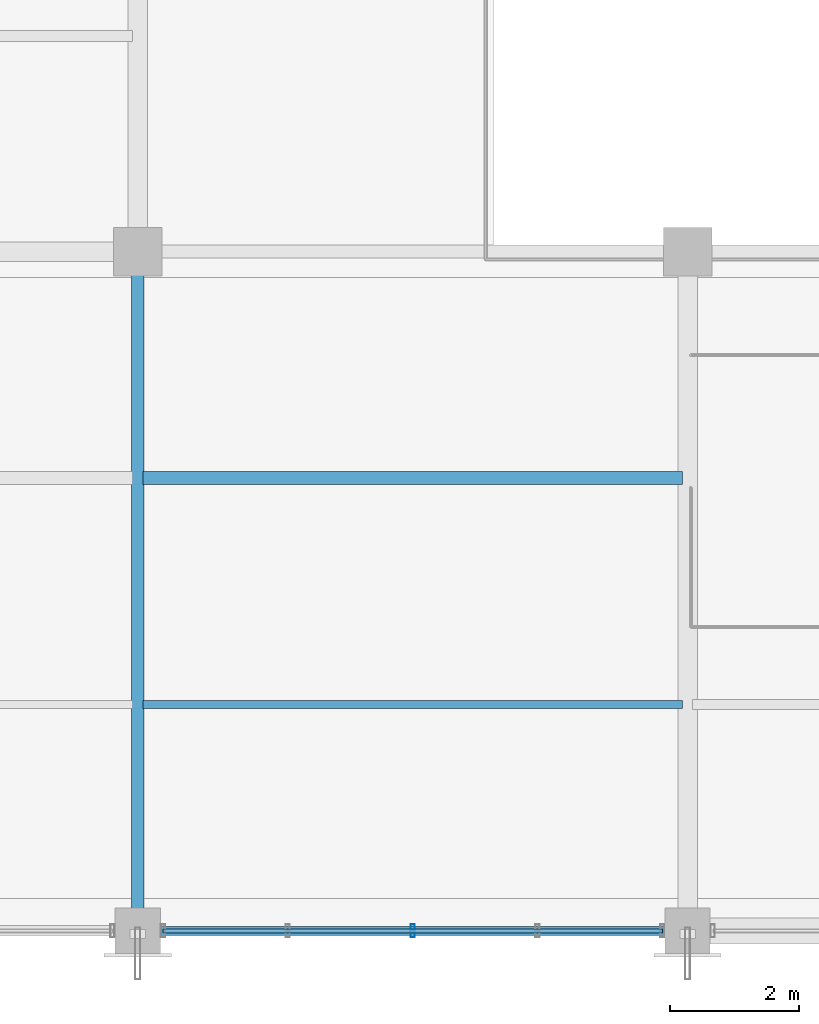
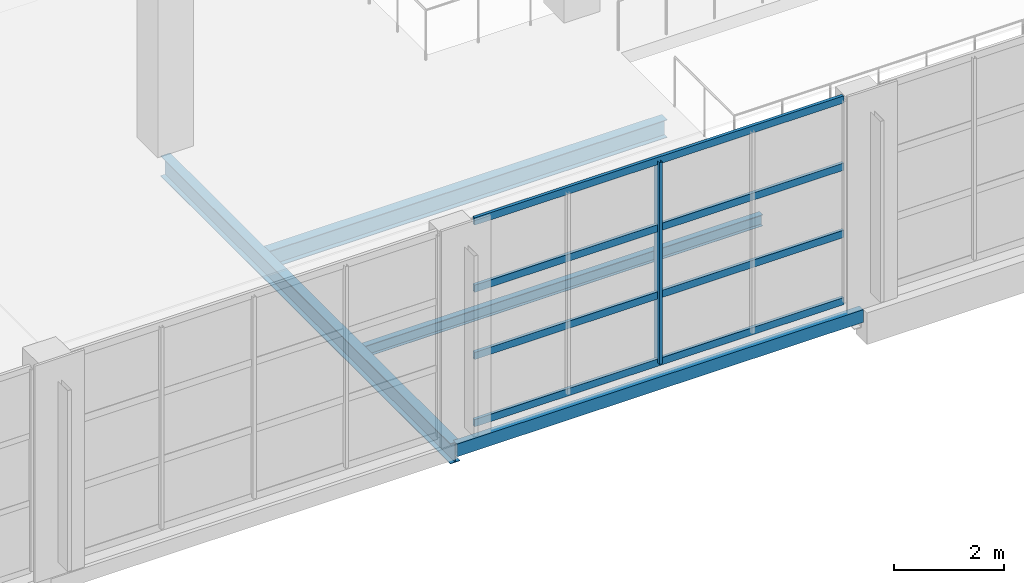
# One storey, part 12 of 101: 5 members, 4 beams, 1 element without a shape of its own.
"""IFC4 building model written with IfcOpenShell, lengths in metres."""

from ifc_helpers import new_model, si_unit, direction, frame, origin, origin_2d, place, context, subcontext, project, spatial, hollow_rectangle, i_section, extrude, material, material_profile, profile_set, type_object, element, aggregate, save


model = new_model("IFC4")

# Units and contexts
model_context = context("Model", 3, precision=1e-05, world=origin(), true_north=direction((0.0, 1.0)))
body_context = subcontext(model_context, "Body", "Model", "MODEL_VIEW")
ifc_project = project(units=[si_unit("LENGTHUNIT", "METRE"), si_unit("AREAUNIT", "SQUARE_METRE"), si_unit("VOLUMEUNIT", "CUBIC_METRE"), si_unit("PLANEANGLEUNIT", "RADIAN"), si_unit("MASSUNIT", "GRAM", prefix="KILO")], contexts=[model_context])

# Site, building, storey
site_placement = place(None, origin())
site = spatial("IfcSite", under=ifc_project, at=site_placement, CompositionType="ELEMENT")
building_placement = place(site_placement, origin())
building = spatial("IfcBuilding", under=site, at=building_placement, Name="Solvikara Media Centre", CompositionType="ELEMENT")
storey_placement = place(building_placement, frame((0.0, 0.0, 10.199951171875)))
storey = spatial("IfcBuildingStorey", under=building, at=storey_placement, Name="L02", CompositionType="ELEMENT", Elevation=10.199951171875)

# Beams
ifc_material_1 = material(Name="Steel S355JR", Category="steel")
ifc_material_profile_1 = material_profile(ifc_material_1, i_section(OverallWidth=0.199951171875, OverallDepth=0.449951171875, WebThickness=0.009033203125, FlangeThickness=0.013916015625, at=origin_2d()), Name="WF 450x200x9x14")
ifc_profile_set_1 = profile_set([ifc_material_profile_1], Name="Steel S355JR")
beam_type_1 = type_object("IfcBeamType", Name="BM-20", PredefinedType="BEAM", material=ifc_profile_set_1)
beam_1_placement = place(storey_placement, frame((42.5, 0.0, -0.5068359375), z_axis=(0.0, 1.0, 0.0), x_axis=(-1.0, 0.0, 0.0)))
element("IfcBeam", 1, at=beam_1_placement, inside=storey, type_object=beam_type_1, Name="B-L02-Y0956", PredefinedType="BEAM", context=body_context, shape_type="SweptSolid", body=[
    extrude(i_section(OverallWidth=0.199951171875, OverallDepth=0.449951171875, WebThickness=0.009033203125, FlangeThickness=0.013916015625, at=origin_2d()), origin(), (0.0, 0.0, 1.0), 10.5),
])
ifc_material_profile_2 = material_profile(ifc_material_1, i_section(OverallWidth=0.125, OverallDepth=0.25, WebThickness=0.006103515625, FlangeThickness=0.009033203125, at=origin_2d()), Name="WF 250x125x6x9")
ifc_profile_set_2 = profile_set([ifc_material_profile_2], Name="Steel S355JR")
beam_type_2 = type_object("IfcBeamType", Name="BM-24", PredefinedType="JOIST", material=ifc_profile_set_2)
beam_2_placement = place(storey_placement, frame((42.577880859375, 3.5, -0.406982421875), z_axis=(1.0, 0.0, 0.0), x_axis=(0.0, 1.0, 0.0)))
element("IfcBeam", 2, at=beam_2_placement, inside=storey, type_object=beam_type_2, Name="J-L02-1100", PredefinedType="JOIST", context=body_context, shape_type="SweptSolid", body=[
    extrude(i_section(OverallWidth=0.125, OverallDepth=0.25, WebThickness=0.006103515625, FlangeThickness=0.009033203125, at=origin_2d()), origin(), (0.0, 0.0, 1.0), 8.34423828125),
])
ifc_material_profile_3 = material_profile(ifc_material_1, i_section(OverallWidth=0.198974609375, OverallDepth=0.39599609375, WebThickness=0.007080078125, FlangeThickness=0.010986328125, at=origin_2d()), Name="WF 396x199x7x11")
ifc_profile_set_3 = profile_set([ifc_material_profile_3], Name="Steel S355JR")
beam_type_3 = type_object("IfcBeamType", Name="BM-37", PredefinedType="JOIST", material=ifc_profile_set_3)
beam_3_placement = place(storey_placement, frame((42.577880859375, 7.0, -0.47998046875), z_axis=(1.0, 0.0, 0.0), x_axis=(0.0, 1.0, 0.0)))
element("IfcBeam", 3, at=beam_3_placement, inside=storey, type_object=beam_type_3, Name="J-L02-1101", PredefinedType="JOIST", context=body_context, shape_type="SweptSolid", body=[
    extrude(i_section(OverallWidth=0.198974609375, OverallDepth=0.39599609375, WebThickness=0.007080078125, FlangeThickness=0.010986328125, at=origin_2d()), origin(), (0.0, 0.0, 1.0), 8.34423828125),
])
ifc_material_profile_4 = material_profile(ifc_material_1, hollow_rectangle(XDim=0.139892578125, YDim=0.280029296875, WallThickness=0.008056640625, at=origin_2d()), Name="RHS 280x140x8")
ifc_profile_set_4 = profile_set([ifc_material_profile_4], Name="Steel S355JR")
beam_type_4 = type_object("IfcBeamType", Name="BM-46", PredefinedType="SPANDREL", material=ifc_profile_set_4)
beam_4_placement = place(storey_placement, frame((42.5, 0.0, -0.421875), z_axis=(1.0, 0.0, 0.0), x_axis=(0.0, 1.0, 0.0)))
element("IfcBeam", 4, at=beam_4_placement, inside=storey, type_object=beam_type_4, Name="B-L02-X0824", PredefinedType="SPANDREL", context=body_context, shape_type="SweptSolid", body=[
    extrude(hollow_rectangle(XDim=0.139892578125, YDim=0.280029296875, WallThickness=0.008056640625, at=origin_2d()), origin(), (0.0, 0.0, 1.0), 8.5),
])

# Curtain wall, members
ifc_material_2 = material(Name="Anodised aluminium EN AW-6063", Category="aluminium")
curtain_wall_type = type_object("IfcCurtainWallType", Name="CW-04", PredefinedType="NOTDEFINED", material=ifc_material_2)
curtain_wall_placement = place(storey_placement, origin())
curtain_wall = element("IfcCurtainWall", 5, at=curtain_wall_placement, inside=storey, type_object=curtain_wall_type, Name="CW-L02-V6S-2", PredefinedType="NOTDEFINED")
ifc_material_profile_5 = material_profile(ifc_material_2, hollow_rectangle(XDim=0.06494140625, YDim=0.199951171875, WallThickness=0.00390625, at=origin_2d()), Name="ALU-M 65x200x4")
ifc_profile_set_5 = profile_set([ifc_material_profile_5], Name="Anodised aluminium EN AW-6063")
member_type_1 = type_object("IfcMemberType", Name="MF-02", PredefinedType="MULLION", material=ifc_profile_set_5)
member_1_placement = place(storey_placement, frame((46.75, 0.0, 0.02001953125), z_axis=(0.0, 0.0, 1.0), x_axis=(1.0, 0.0, 0.0)))
member_1 = element("IfcMember", 6, at=member_1_placement, type_object=member_type_1, Name="CW-L02-V6S-2-M02", PredefinedType="MULLION", context=body_context, shape_type="SweptSolid", body=[
    extrude(hollow_rectangle(XDim=0.06494140625, YDim=0.199951171875, WallThickness=0.00390625, at=origin_2d()), origin(), (0.0, 0.0, 1.0), 4.4599609375),
])
ifc_material_profile_6 = material_profile(ifc_material_2, hollow_rectangle(XDim=0.06494140625, YDim=0.159912109375, WallThickness=0.00341796875, at=origin_2d()), Name="ALU-T 65x160x3.5")
ifc_profile_set_6 = profile_set([ifc_material_profile_6], Name="Anodised aluminium EN AW-6063")
member_type_2 = type_object("IfcMemberType", Name="MF-08", PredefinedType="USERDEFINED", material=ifc_profile_set_6)
member_2_placement = place(storey_placement, frame((42.889892578125, 0.0, 0.02001953125), z_axis=(1.0, 0.0, 0.0), x_axis=(0.0, 1.0, 0.0)))
member_2 = element("IfcMember", 7, at=member_2_placement, type_object=member_type_2, Name="CW-L02-V6S-2-T00", ObjectType="TRANSOM", PredefinedType="USERDEFINED", context=body_context, shape_type="SweptSolid", body=[
    extrude(hollow_rectangle(XDim=0.06494140625, YDim=0.159912109375, WallThickness=0.00341796875, at=origin_2d()), origin(), (0.0, 0.0, 1.0), 7.72021484375),
])
member_3_placement = place(storey_placement, frame((42.889892578125, 0.0, 1.507080078125), z_axis=(1.0, 0.0, 0.0), x_axis=(0.0, 1.0, 0.0)))
member_3 = element("IfcMember", 8, at=member_3_placement, type_object=member_type_2, Name="CW-L02-V6S-2-T01", ObjectType="TRANSOM", PredefinedType="USERDEFINED", context=body_context, shape_type="SweptSolid", body=[
    extrude(hollow_rectangle(XDim=0.06494140625, YDim=0.159912109375, WallThickness=0.00341796875, at=origin_2d()), origin(), (0.0, 0.0, 1.0), 7.72021484375),
])
member_4_placement = place(storey_placement, frame((42.889892578125, 0.0, 2.9931640625), z_axis=(1.0, 0.0, 0.0), x_axis=(0.0, 1.0, 0.0)))
member_4 = element("IfcMember", 9, at=member_4_placement, type_object=member_type_2, Name="CW-L02-V6S-2-T02", ObjectType="TRANSOM", PredefinedType="USERDEFINED", context=body_context, shape_type="SweptSolid", body=[
    extrude(hollow_rectangle(XDim=0.06494140625, YDim=0.159912109375, WallThickness=0.00341796875, at=origin_2d()), origin(), (0.0, 0.0, 1.0), 7.72021484375),
])
member_5_placement = place(storey_placement, frame((42.889892578125, 0.0, 4.47998046875), z_axis=(1.0, 0.0, 0.0), x_axis=(0.0, 1.0, 0.0)))
member_5 = element("IfcMember", 10, at=member_5_placement, type_object=member_type_2, Name="CW-L02-V6S-2-T03", ObjectType="TRANSOM", PredefinedType="USERDEFINED", context=body_context, shape_type="SweptSolid", body=[
    extrude(hollow_rectangle(XDim=0.06494140625, YDim=0.159912109375, WallThickness=0.00341796875, at=origin_2d()), origin(), (0.0, 0.0, 1.0), 7.72021484375),
])
aggregate(curtain_wall, [member_1, member_2, member_3, member_4, member_5])

save(model, "model.ifc")
